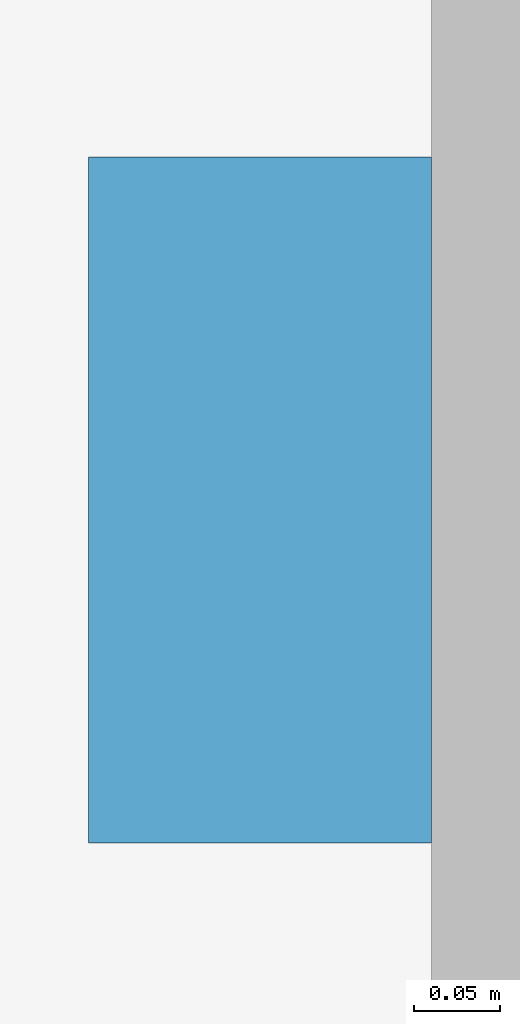
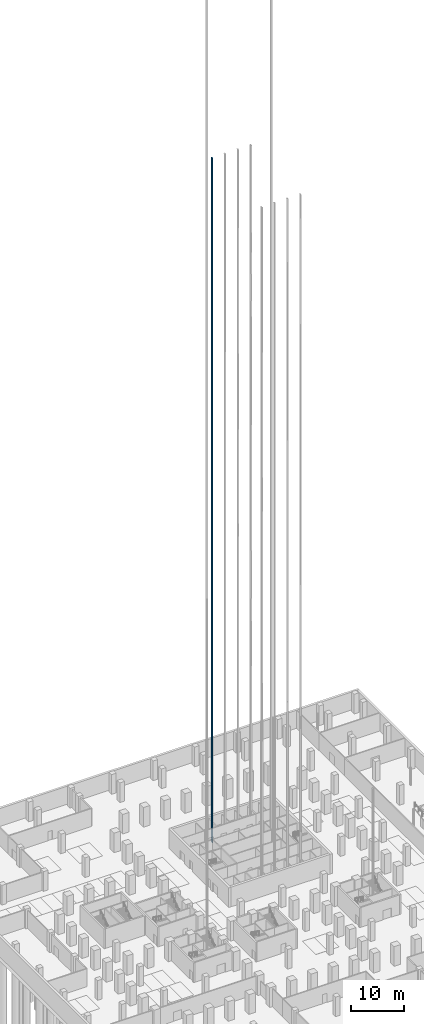
# One storey, part 29 of 37: 1 discrete accessory.
"""IFC4 building model written with IfcOpenShell, lengths in metres."""

from ifc_helpers import new_model, si_unit, direction, frame, origin, origin_2d, place, context, subcontext, project, spatial, rectangle, extrude, material, element, save


model = new_model("IFC4")

# Units and contexts
model_context = context("Model", 3, precision=1e-05, world=origin(), true_north=direction((0.0, 1.0)))
body_context = subcontext(model_context, "Body", "Model", "MODEL_VIEW")
ifc_project = project(units=[si_unit("LENGTHUNIT", "METRE"), si_unit("AREAUNIT", "SQUARE_METRE"), si_unit("VOLUMEUNIT", "CUBIC_METRE"), si_unit("PLANEANGLEUNIT", "RADIAN"), si_unit("MASSUNIT", "GRAM", prefix="KILO")], contexts=[model_context])

# Site, building, storey
site_placement = place(None, origin())
site = spatial("IfcSite", under=ifc_project, at=site_placement, CompositionType="ELEMENT")
building_placement = place(site_placement, origin())
building = spatial("IfcBuilding", under=site, at=building_placement, Name="Quoin Convention Tower", CompositionType="ELEMENT")
storey_placement = place(building_placement, frame((0.0, 0.0, -9.0)))
storey = spatial("IfcBuildingStorey", under=building, at=storey_placement, Name="B2", CompositionType="ELEMENT", Elevation=-9.0)

# Discrete accessory
ifc_material = material(Name="Galvanised steel", Category="steel")
discrete_accessory_placement = place(storey_placement, frame((53.25, 70.050048828125, -0.349853515625), z_axis=(0.0, 0.0, 1.0), x_axis=(1.0, 0.0, 0.0)))
element("IfcDiscreteAccessory", 1, at=discrete_accessory_placement, inside=storey, material=ifc_material, Name="LIFT GUIDE RAILS L5", ObjectType="Lift guide rails", PredefinedType="USERDEFINED", context=body_context, shape_type="SweptSolid", body=[
    extrude(rectangle(XDim=0.199951171875, YDim=0.39990234375, at=origin_2d()), origin(), (0.0, 0.0, 1.0), 156.89990234375),
])

save(model, "model.ifc")
